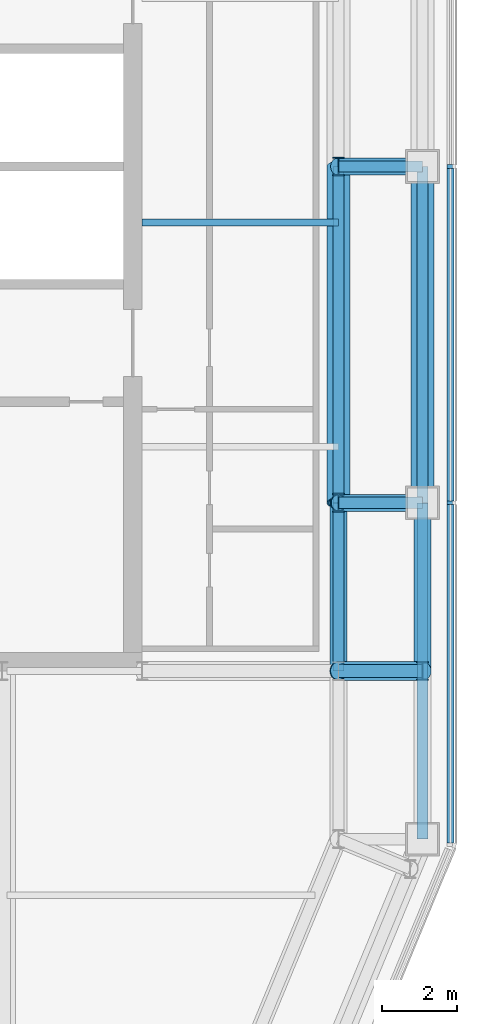
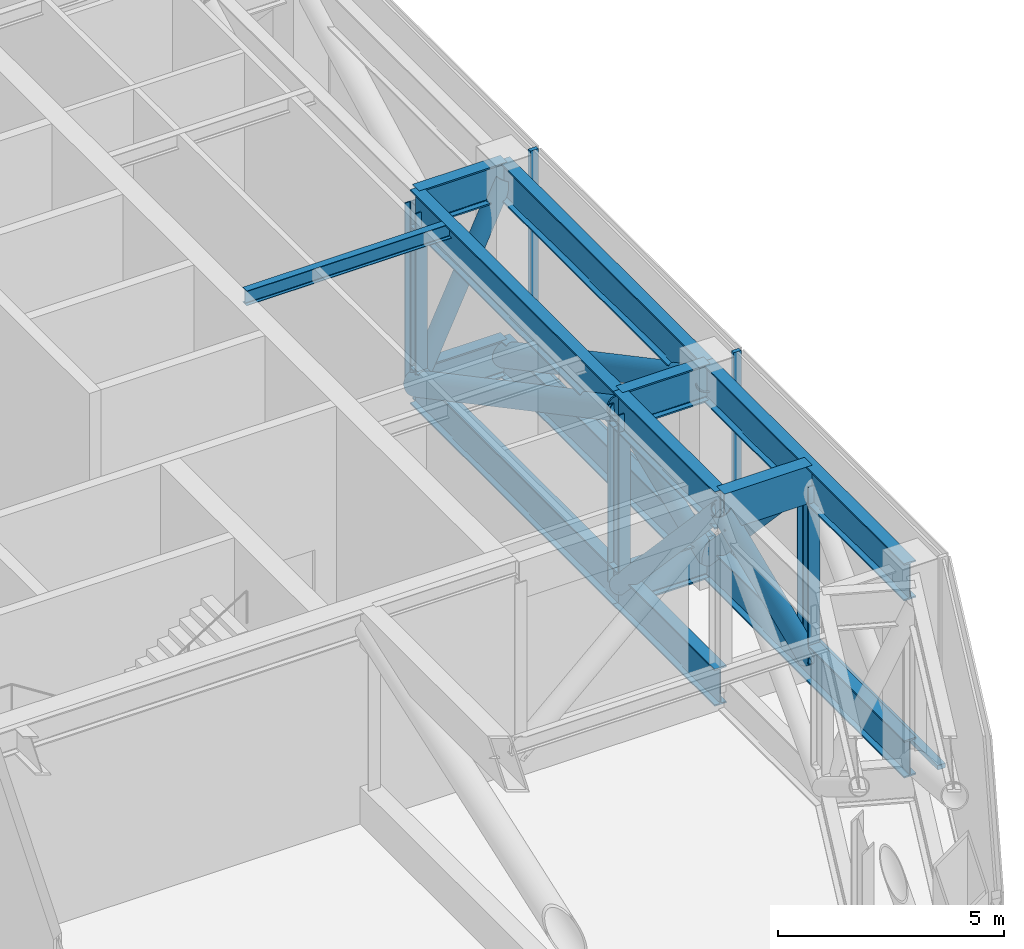
# One storey, part 5 of 22: 14 beams, 14 members, 1 element without a shape of its own.
"""IFC4 building model written with IfcOpenShell, lengths in metres."""

from ifc_helpers import new_model, si_unit, direction, frame, origin, origin_2d, place, context, subcontext, project, spatial, rectangle, hollow_rectangle, hollow_circle, i_section, extrude, material, layer, layer_set, material_profile, profile_set, type_object, element, aggregate, save


model = new_model("IFC4")

# Units and contexts
model_context = context("Model", 3, precision=1e-05, world=origin(), true_north=direction((0.0, 1.0)))
body_context = subcontext(model_context, "Body", "Model", "MODEL_VIEW")
ifc_project = project(units=[si_unit("LENGTHUNIT", "METRE"), si_unit("AREAUNIT", "SQUARE_METRE"), si_unit("VOLUMEUNIT", "CUBIC_METRE"), si_unit("PLANEANGLEUNIT", "RADIAN"), si_unit("MASSUNIT", "GRAM", prefix="KILO")], contexts=[model_context])

# Site, building, storey
site_placement = place(None, origin())
site = spatial("IfcSite", under=ifc_project, at=site_placement, CompositionType="ELEMENT")
building_placement = place(site_placement, origin())
building = spatial("IfcBuilding", under=site, at=building_placement, Name="Siwar Civic Tower", CompositionType="ELEMENT")
storey_placement = place(building_placement, frame((0.0, 0.0, 181.199951171875)))
storey = spatial("IfcBuildingStorey", under=building, at=storey_placement, Name="L39", CompositionType="ELEMENT", Elevation=181.199951171875)

# Curtain wall, members
ifc_material_1 = material(Name="Aluminium and glass", Category="aluminium")
ifc_layer = layer(ifc_material_1, 0.199951171875)
ifc_layer_set = layer_set([ifc_layer], Name="Aluminium and glass")
curtain_wall_type = type_object("IfcCurtainWallType", Name="ENV-CW-P", PredefinedType="NOTDEFINED", material=ifc_layer_set)
curtain_wall_placement = place(storey_placement, origin())
curtain_wall = element("IfcCurtainWall", 1, at=curtain_wall_placement, inside=storey, type_object=curtain_wall_type, Name="Curtain wall P E", PredefinedType="NOTDEFINED")
ifc_material_2 = material(Name="Aluminium 6063-T6", Category="aluminium")
ifc_material_profile_1 = material_profile(ifc_material_2, rectangle(XDim=0.199951171875, YDim=0.10009765625, at=origin_2d()), Name="AL 200x100")
ifc_profile_set_1 = profile_set([ifc_material_profile_1], Name="Aluminium 6063-T6")
member_type_1 = type_object("IfcMemberType", Name="ENV-MULLION-P", PredefinedType="MULLION", material=ifc_profile_set_1)
member_1_placement = place(storey_placement, frame((30.0, -9.0, 0.0), z_axis=(0.0, 0.0, 1.0), x_axis=(-1.0, 0.0, 0.0)))
member_1 = element("IfcMember", 2, at=member_1_placement, type_object=member_type_1, Name="Mullion P E 2", PredefinedType="MULLION", context=body_context, shape_type="SweptSolid", body=[
    extrude(rectangle(XDim=0.199951171875, YDim=0.10009765625, at=origin_2d()), origin(), (0.0, 0.0, 1.0), 5.800048828125),
])
member_2_placement = place(storey_placement, frame((30.0, 0.0, 0.0), z_axis=(0.0, 0.0, 1.0), x_axis=(-1.0, 0.0, 0.0)))
member_2 = element("IfcMember", 3, at=member_2_placement, type_object=member_type_1, Name="Mullion P E 3", PredefinedType="MULLION", context=body_context, shape_type="SweptSolid", body=[
    extrude(rectangle(XDim=0.199951171875, YDim=0.10009765625, at=origin_2d()), origin(), (0.0, 0.0, 1.0), 5.800048828125),
])
ifc_material_3 = material(Name="Aluminium 6063-T6", Category="aluminium")
ifc_material_profile_2 = material_profile(ifc_material_3, rectangle(XDim=0.199951171875, YDim=0.1201171875, at=origin_2d()), Name="AL 200x120")
ifc_profile_set_2 = profile_set([ifc_material_profile_2], Name="Aluminium 6063-T6")
member_type_2 = type_object("IfcMemberType", Name="ENV-TRANSOM-P", PredefinedType="USERDEFINED", material=ifc_profile_set_2)
member_3_placement = place(storey_placement, frame((30.0, -18.09912109375, 0.06005859375), z_axis=(0.0, 1.0, 0.0), x_axis=(-1.0, 0.0, 0.0)))
member_3 = element("IfcMember", 4, at=member_3_placement, type_object=member_type_2, Name="Transom P E 1", ObjectType="TRANSOM", PredefinedType="USERDEFINED", context=body_context, shape_type="SweptSolid", body=[
    extrude(rectangle(XDim=0.199951171875, YDim=0.1201171875, at=origin_2d()), origin(), (0.0, 0.0, 1.0), 9.049072265625),
])
member_4_placement = place(storey_placement, frame((30.0, -8.949951171875, 0.06005859375), z_axis=(0.0, 1.0, 0.0), x_axis=(-1.0, 0.0, 0.0)))
member_4 = element("IfcMember", 5, at=member_4_placement, type_object=member_type_2, Name="Transom P E 2", ObjectType="TRANSOM", PredefinedType="USERDEFINED", context=body_context, shape_type="SweptSolid", body=[
    extrude(rectangle(XDim=0.199951171875, YDim=0.1201171875, at=origin_2d()), origin(), (0.0, 0.0, 1.0), 8.89990234375),
])
aggregate(curtain_wall, [member_1, member_2, member_3, member_4])

# Beams
ifc_material_4 = material(Name="Steel S460", Category="steel")
ifc_material_profile_3 = material_profile(ifc_material_4, i_section(OverallWidth=0.302001953125, OverallDepth=1.008056640625, WebThickness=0.02099609375, FlangeThickness=0.0400390625, FilletRadius=0.030029296875, at=origin_2d()), Name="HEM1000")
ifc_profile_set_3 = profile_set([ifc_material_profile_3], Name="Steel S460")
beam_type_1 = type_object("IfcBeamType", Name="STR-BELT-TRUSS-CHORD-HEM1000", PredefinedType="BEAM", material=ifc_profile_set_3)
for number, where, z_axis, x_axis, name in (
    (6, (27.0, -13.5, 0.504150390625), (0.0, 1.0, 0.0), (-1.0, 0.0, 0.0), "Belt truss chord"),
    (7, (27.0, -13.5, 5.296142578125), (0.0, 1.0, 0.0), (-1.0, 0.0, 0.0), "Belt truss chord"),
):
    element("IfcBeam", number, at=place(storey_placement, frame(where, z_axis=z_axis, x_axis=x_axis)), inside=storey, type_object=beam_type_1, Name=name, PredefinedType="BEAM", context=body_context, shape_type="SweptSolid", body=[
        extrude(i_section(OverallWidth=0.302001953125, OverallDepth=1.008056640625, WebThickness=0.02099609375, FlangeThickness=0.0400390625, FilletRadius=0.030029296875, at=origin_2d()), origin(), (0.0, 0.0, 1.0), 4.5),
    ])
for number, where, z_axis, x_axis, name in (
    (8, (27.0, -9.0, 0.504150390625), (0.0, 1.0, 0.0), (-1.0, 0.0, 0.0), "Belt truss chord"),
    (9, (27.0, -9.0, 5.296142578125), (0.0, 1.0, 0.0), (-1.0, 0.0, 0.0), "Belt truss chord"),
    (10, (29.25, -18.0, 0.504150390625), (0.0, 1.0, 0.0), (-1.0, 0.0, 0.0), "Belt truss chord"),
    (11, (29.25, -18.0, 5.296142578125), (0.0, 1.0, 0.0), (-1.0, 0.0, 0.0), "Belt truss chord"),
    (12, (29.25, -9.0, 0.504150390625), (0.0, 1.0, 0.0), (-1.0, 0.0, 0.0), "Belt truss chord"),
    (13, (29.25, -9.0, 5.296142578125), (0.0, 1.0, 0.0), (-1.0, 0.0, 0.0), "Belt truss chord"),
):
    element("IfcBeam", number, at=place(storey_placement, frame(where, z_axis=z_axis, x_axis=x_axis)), inside=storey, type_object=beam_type_1, Name=name, PredefinedType="BEAM", context=body_context, shape_type="SweptSolid", body=[
        extrude(i_section(OverallWidth=0.302001953125, OverallDepth=1.008056640625, WebThickness=0.02099609375, FlangeThickness=0.0400390625, FilletRadius=0.030029296875, at=origin_2d()), origin(), (0.0, 0.0, 1.0), 9.0),
    ])

# Members
ifc_material_5 = material(Name="Steel S355", Category="steel")
ifc_material_profile_4 = material_profile(ifc_material_5, hollow_circle(Radius=0.228515625, WallThickness=0.02001953125, at=origin_2d()), Name="CHS457x20")
ifc_profile_set_4 = profile_set([ifc_material_profile_4], Name="Steel S355")
member_type_3 = type_object("IfcMemberType", Name="STR-BELT-TRUSS-DIAGONAL-CHS457x20", PredefinedType="BRACE", material=ifc_profile_set_4)
for number, where, z_axis, x_axis, name in (
    (14, (27.0, -8.99658203125, 0.50048828125), (0.0, -0.684545317859, 0.728970306526), (1.0, 0.0, 0.0), "Belt truss diagonal"),
    (15, (29.25, -8.99658203125, 0.50048828125), (0.0, -0.684545317859, 0.728970306526), (1.0, 0.0, 0.0), "Belt truss diagonal"),
):
    element("IfcMember", number, at=place(storey_placement, frame(where, z_axis=z_axis, x_axis=x_axis)), inside=storey, type_object=member_type_3, Name=name, PredefinedType="BRACE", context=body_context, shape_type="SweptSolid", body=[
        extrude(hollow_circle(Radius=0.228515625, WallThickness=0.02001953125, at=origin_2d()), origin(), (0.0, 0.0, 1.0), 6.583740234375),
    ])
for number, where, z_axis, x_axis, name in (
    (16, (29.252197265625, -9.0, 0.49951171875), (-0.425038765055, 0.0, 0.905175147803), (0.0, -1.0, 0.0), "Belt truss diagonal"),
    (17, (26.997802734375, 0.0, 0.49951171875), (0.425038765055, 0.0, 0.905175147803), (0.0, 1.0, 0.0), "Belt truss diagonal"),
):
    element("IfcMember", number, at=place(storey_placement, frame(where, z_axis=z_axis, x_axis=x_axis)), inside=storey, type_object=member_type_3, Name=name, PredefinedType="BRACE", context=body_context, shape_type="SweptSolid", body=[
        extrude(hollow_circle(Radius=0.228515625, WallThickness=0.02001953125, at=origin_2d()), origin(), (0.0, 0.0, 1.0), 5.303955078125),
    ])
ifc_material_6 = material(Name="Steel S355", Category="steel")
ifc_material_profile_5 = material_profile(ifc_material_6, hollow_circle(Radius=0.304931640625, WallThickness=0.030029296875, at=origin_2d()), Name="CHS610x30")
ifc_profile_set_5 = profile_set([ifc_material_profile_5], Name="Steel S355")
member_type_4 = type_object("IfcMemberType", Name="STR-BELT-TRUSS-DIAGONAL-CHS610x30", PredefinedType="BRACE", material=ifc_profile_set_5)
for number, where, z_axis, x_axis, name in (
    (18, (27.0, 0.00439453125, 0.501708984375), (0.0, -0.882680501151, 0.469973544881), (1.0, 0.0, 0.0), "Belt truss diagonal"),
    (19, (29.25, 0.00439453125, 0.501708984375), (0.0, -0.882680501151, 0.469973544881), (1.0, 0.0, 0.0), "Belt truss diagonal"),
):
    element("IfcMember", number, at=place(storey_placement, frame(where, z_axis=z_axis, x_axis=x_axis)), inside=storey, type_object=member_type_4, Name=name, PredefinedType="BRACE", context=body_context, shape_type="SweptSolid", body=[
        extrude(hollow_circle(Radius=0.304931640625, WallThickness=0.030029296875, at=origin_2d()), origin(), (0.0, 0.0, 1.0), 10.2060546875),
    ])

# Beams
ifc_material_7 = material(Name="Steel S460", Category="steel")
ifc_material_profile_6 = material_profile(ifc_material_7, i_section(OverallWidth=0.302001953125, OverallDepth=1.008056640625, WebThickness=0.02099609375, FlangeThickness=0.0400390625, FilletRadius=0.030029296875, at=origin_2d()), Name="HEM1000")
ifc_profile_set_6 = profile_set([ifc_material_profile_6], Name="Steel S460")
beam_type_2 = type_object("IfcBeamType", Name="STR-BELT-TRUSS-LADDER-CHORD-HEM1000", PredefinedType="BEAM", material=ifc_profile_set_6)
for number, where, z_axis, x_axis, name in (
    (20, (27.0, -9.0, 0.504150390625), (1.0, 0.0, 0.0), (0.0, 1.0, 0.0), "Belt truss ladder chord"),
    (21, (27.0, -9.0, 5.296142578125), (1.0, 0.0, 0.0), (0.0, 1.0, 0.0), "Belt truss ladder chord"),
    (22, (27.0, 0.0, 0.504150390625), (1.0, 0.0, 0.0), (0.0, 1.0, 0.0), "Belt truss ladder chord"),
    (23, (27.0, 0.0, 5.296142578125), (1.0, 0.0, 0.0), (0.0, 1.0, 0.0), "Belt truss ladder chord"),
):
    element("IfcBeam", number, at=place(storey_placement, frame(where, z_axis=z_axis, x_axis=x_axis)), inside=storey, type_object=beam_type_2, Name=name, PredefinedType="BEAM", context=body_context, shape_type="SweptSolid", body=[
        extrude(i_section(OverallWidth=0.302001953125, OverallDepth=1.008056640625, WebThickness=0.02099609375, FlangeThickness=0.0400390625, FilletRadius=0.030029296875, at=origin_2d()), origin(), (0.0, 0.0, 1.0), 2.25),
    ])

# Members
ifc_material_8 = material(Name="Steel S355", Category="steel")
ifc_material_profile_7 = material_profile(ifc_material_8, i_section(OverallWidth=0.300048828125, OverallDepth=0.5, WebThickness=0.014404296875, FlangeThickness=0.028076171875, FilletRadius=0.027099609375, at=origin_2d()), Name="HEB500")
ifc_profile_set_7 = profile_set([ifc_material_profile_7], Name="Steel S355")
member_type_5 = type_object("IfcMemberType", Name="STR-BELT-TRUSS-POST-HEB500", PredefinedType="POST", material=ifc_profile_set_7)
for number, where, z_axis, x_axis, name in (
    (24, (27.0, -9.0, 0.504150390625), (0.0, 0.0, 1.0), (1.0, 0.0, 0.0), "Belt truss post"),
    (25, (27.0, 0.0, 0.504150390625), (0.0, 0.0, 1.0), (1.0, 0.0, 0.0), "Belt truss post"),
    (26, (29.25, -13.5, 0.504150390625), (0.0, 0.0, 1.0), (1.0, 0.0, 0.0), "Belt truss post"),
):
    element("IfcMember", number, at=place(storey_placement, frame(where, z_axis=z_axis, x_axis=x_axis)), inside=storey, type_object=member_type_5, Name=name, PredefinedType="POST", context=body_context, shape_type="SweptSolid", body=[
        extrude(i_section(OverallWidth=0.300048828125, OverallDepth=0.5, WebThickness=0.014404296875, FlangeThickness=0.028076171875, FilletRadius=0.027099609375, at=origin_2d()), origin(), (0.0, 0.0, 1.0), 4.7919921875),
    ])

# Beams
ifc_material_9 = material(Name="Steel S355", Category="steel")
ifc_material_profile_8 = material_profile(ifc_material_9, i_section(OverallWidth=0.179931640625, OverallDepth=0.39990234375, WebThickness=0.008544921875, FlangeThickness=0.013427734375, FilletRadius=0.02099609375, at=origin_2d()), Name="IPE400")
ifc_profile_set_8 = profile_set([ifc_material_profile_8], Name="Steel S355")
beam_type_3 = type_object("IfcBeamType", Name="STR-FB-IPE400", PredefinedType="JOIST", material=ifc_profile_set_8)
beam_1_placement = place(storey_placement, frame((21.75, -1.5, 5.60009765625), z_axis=(1.0, 0.0, 0.0), x_axis=(0.0, 1.0, 0.0)))
element("IfcBeam", 27, at=beam_1_placement, inside=storey, type_object=beam_type_3, Name="L39/bm/F020", PredefinedType="JOIST", context=body_context, shape_type="SweptSolid", body=[
    extrude(i_section(OverallWidth=0.179931640625, OverallDepth=0.39990234375, WebThickness=0.008544921875, FlangeThickness=0.013427734375, FilletRadius=0.02099609375, at=origin_2d()), origin(), (0.0, 0.0, 1.0), 5.25),
])
ifc_material_10 = material(Name="Steel S460", Category="steel")
ifc_material_profile_9 = material_profile(ifc_material_10, hollow_rectangle(XDim=0.35009765625, YDim=1.008056640625, WallThickness=0.0400390625, at=origin_2d()), Name="BOX1008x350x40")
ifc_profile_set_9 = profile_set([ifc_material_profile_9], Name="Steel S460")
beam_type_4 = type_object("IfcBeamType", Name="STR-OUTRIGGER-TRUSS-CHORD-BOX1008x350x40", PredefinedType="BEAM", material=ifc_profile_set_9)
beam_2_placement = place(storey_placement, frame((29.25, -13.5, 5.296142578125), z_axis=(-1.0, 0.0, 0.0), x_axis=(0.0, -1.0, 0.0)))
element("IfcBeam", 28, at=beam_2_placement, inside=storey, type_object=beam_type_4, Name="Outrigger truss chord", PredefinedType="BEAM", context=body_context, shape_type="SweptSolid", body=[
    extrude(hollow_rectangle(XDim=0.35009765625, YDim=1.008056640625, WallThickness=0.0400390625, at=origin_2d()), origin(), (0.0, 0.0, 1.0), 2.25),
])

# Member
ifc_material_11 = material(Name="Steel S355", Category="steel")
ifc_material_profile_10 = material_profile(ifc_material_11, hollow_circle(Radius=0.25390625, WallThickness=0.02490234375, at=origin_2d()), Name="CHS508x25")
ifc_profile_set_10 = profile_set([ifc_material_profile_10], Name="Steel S355")
member_type_6 = type_object("IfcMemberType", Name="STR-OUTRIGGER-TRUSS-DIAGONAL-CHS508x25", PredefinedType="BRACE", material=ifc_profile_set_10)
member_5_placement = place(storey_placement, frame((29.252197265625, -13.5, 0.49951171875), z_axis=(-0.425038765055, 0.0, 0.905175147803), x_axis=(0.0, -1.0, 0.0)))
element("IfcMember", 29, at=member_5_placement, inside=storey, type_object=member_type_6, Name="Outrigger truss diagonal", PredefinedType="BRACE", context=body_context, shape_type="SweptSolid", body=[
    extrude(hollow_circle(Radius=0.25390625, WallThickness=0.02490234375, at=origin_2d()), origin(), (0.0, 0.0, 1.0), 5.303955078125),
])

save(model, "model.ifc")
